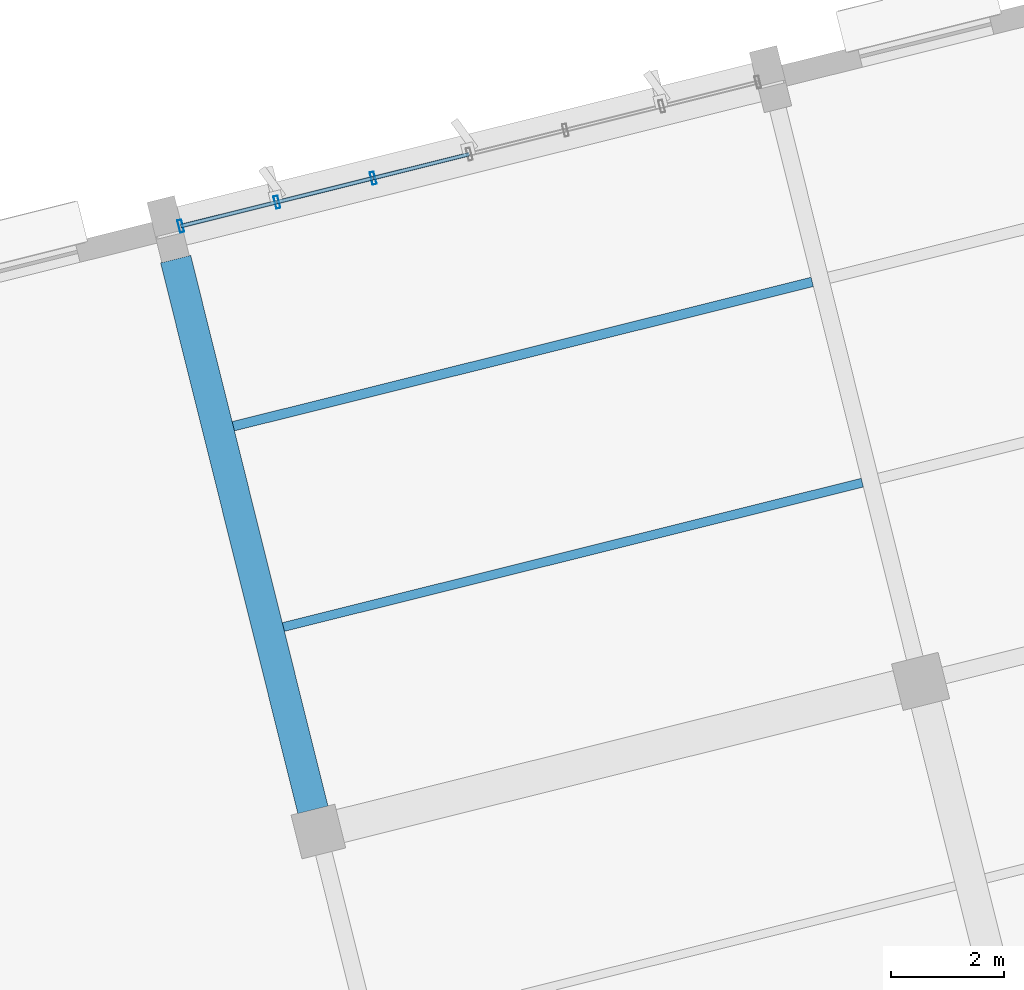
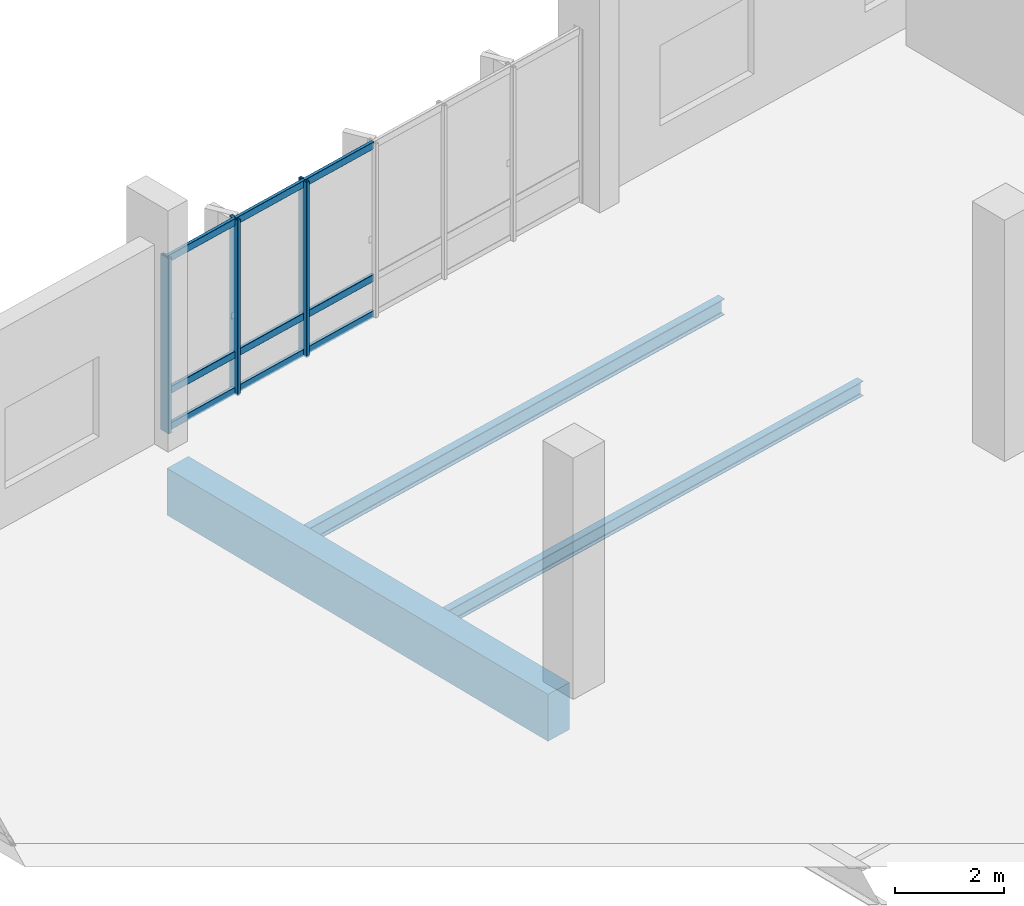
# One storey, part 86 of 176: 12 members, 3 beams, 1 element without a shape of its own.
"""IFC4 building model written with IfcOpenShell, lengths in metres."""

from ifc_helpers import new_model, si_unit, direction, frame, origin, origin_2d, place, context, subcontext, project, spatial, rectangle, hollow_rectangle, i_section, extrude, material, layer, layer_set, material_profile, profile_set, type_object, element, aggregate, save


model = new_model("IFC4")

# Units and contexts
model_context = context("Model", 3, precision=1e-05, world=origin(), true_north=direction((0.0, 1.0)))
body_context = subcontext(model_context, "Body", "Model", "MODEL_VIEW")
ifc_project = project(units=[si_unit("LENGTHUNIT", "METRE"), si_unit("AREAUNIT", "SQUARE_METRE"), si_unit("VOLUMEUNIT", "CUBIC_METRE"), si_unit("PLANEANGLEUNIT", "RADIAN"), si_unit("MASSUNIT", "GRAM", prefix="KILO")], contexts=[model_context])

# Site, building, storey
site_placement = place(None, origin())
site = spatial("IfcSite", under=ifc_project, at=site_placement, CompositionType="ELEMENT")
building_placement = place(site_placement, origin())
building = spatial("IfcBuilding", under=site, at=building_placement, Name="Khorjan Park Terminus", CompositionType="ELEMENT")
storey_placement = place(building_placement, frame((0.0, 0.0, 6.0)))
storey = spatial("IfcBuildingStorey", under=building, at=storey_placement, Name="L01", CompositionType="ELEMENT", Elevation=6.0)

# Beams
ifc_material_1 = material(Name="Concrete C40/50", Category="concrete")
ifc_material_profile_1 = material_profile(ifc_material_1, rectangle(XDim=0.55, YDim=1.05, at=origin_2d()), Name="RC 550x1050")
ifc_profile_set_1 = profile_set([ifc_material_profile_1], Name="Concrete C40/50")
beam_type_1 = type_object("IfcBeamType", Name="BM-RC550x1050", PredefinedType="BEAM", material=ifc_profile_set_1)
beam_1_placement = place(storey_placement, frame((163.272, 58.4107, -0.875), z_axis=(-0.241920438591, 0.970296089548, 0.0), x_axis=(-0.970296089548, -0.241920438591, 0.0)))
element("IfcBeam", 1, at=beam_1_placement, inside=storey, type_object=beam_type_1, Name="Primary skew-grid floor girder GB-105 (L01)", PredefinedType="BEAM", context=body_context, shape_type="SweptSolid", body=[
    extrude(rectangle(XDim=0.55, YDim=1.05, at=origin_2d()), origin(), (0.0, 0.0, 1.0), 10.0599),
])
ifc_material_2 = material(Name="Steel S355", Category="steel")
ifc_material_profile_2 = material_profile(ifc_material_2, i_section(OverallWidth=0.16, OverallDepth=0.33, WebThickness=0.0075, FlangeThickness=0.0115, FilletRadius=0.018, at=origin_2d()), Name="IPE 330")
ifc_profile_set_2 = profile_set([ifc_material_profile_2], Name="Steel S355")
beam_type_2 = type_object("IfcBeamType", Name="JS-IPE330", PredefinedType="JOIST", material=ifc_profile_set_2)
beam_2_placement = place(storey_placement, frame((162.7473, 61.6517, -0.515), z_axis=(0.970296385626, 0.241919251074, 0.0), x_axis=(-0.241919251074, 0.970296385626, 0.0)))
element("IfcBeam", 2, at=beam_2_placement, inside=storey, type_object=beam_type_2, Name="Secondary composite floor joist SJ-33 (L01)", PredefinedType="JOIST", context=body_context, shape_type="SweptSolid", body=[
    extrude(i_section(OverallWidth=0.16, OverallDepth=0.33, WebThickness=0.0075, FlangeThickness=0.0115, FilletRadius=0.018, at=origin_2d()), origin(), (0.0, 0.0, 1.0), 10.575),
])
ifc_material_profile_3 = material_profile(ifc_material_2, i_section(OverallWidth=0.17, OverallDepth=0.36, WebThickness=0.008, FlangeThickness=0.0127, FilletRadius=0.018, at=origin_2d()), Name="IPE 360")
ifc_profile_set_3 = profile_set([ifc_material_profile_3], Name="Steel S355")
beam_type_3 = type_object("IfcBeamType", Name="JS-IPE360", PredefinedType="JOIST", material=ifc_profile_set_3)
beam_3_placement = place(storey_placement, frame((161.8603, 65.2094, -0.53), z_axis=(0.970296385626, 0.241919251074, 0.0), x_axis=(-0.241919251074, 0.970296385626, 0.0)))
element("IfcBeam", 3, at=beam_3_placement, inside=storey, type_object=beam_type_3, Name="Secondary composite floor joist SJ-36 (L01)", PredefinedType="JOIST", context=body_context, shape_type="SweptSolid", body=[
    extrude(i_section(OverallWidth=0.17, OverallDepth=0.36, WebThickness=0.008, FlangeThickness=0.0127, FilletRadius=0.018, at=origin_2d()), origin(), (0.0, 0.0, 1.0), 10.575),
])

# Curtain wall, members
ifc_material_3 = material(Name="Anodized Bronze Aluminium", Category="aluminium")
ifc_layer = layer(ifc_material_3, 0.22)
ifc_layer_set = layer_set([ifc_layer], Name="Anodized Bronze Aluminium")
curtain_wall_type = type_object("IfcCurtainWallType", Name="CW-OPS-B", PredefinedType="NOTDEFINED", material=ifc_layer_set)
curtain_wall_placement = place(storey_placement, origin())
curtain_wall = element("IfcCurtainWall", 4, at=curtain_wall_placement, inside=storey, type_object=curtain_wall_type, Name="Unitized curtain wall CW-B (CW-V5-N-L01-B05)", PredefinedType="NOTDEFINED")
ifc_material_profile_4 = material_profile(ifc_material_3, hollow_rectangle(XDim=0.075, YDim=0.225, WallThickness=0.005, InnerFilletRadius=0.005, OuterFilletRadius=0.01, at=origin_2d()), Name="ALM 75x225x5")
ifc_profile_set_4 = profile_set([ifc_material_profile_4], Name="Anodized Bronze Aluminium")
member_type_1 = type_object("IfcMemberType", Name="ML-ALM-225", PredefinedType="MULLION", material=ifc_profile_set_4)
member_1_placement = place(storey_placement, frame((164.3385, 69.6063, -0.035), z_axis=(0.0, 0.0, 1.0), x_axis=(-0.970298556262, -0.241910544861, 0.0)))
member_1 = element("IfcMember", 5, at=member_1_placement, type_object=member_type_1, Name="Curtain-wall mullion ML-22 (CW-V5-N-L01-B05-4)", PredefinedType="MULLION", context=body_context, shape_type="SweptSolid", body=[
    extrude(hollow_rectangle(XDim=0.075, YDim=0.225, WallThickness=0.005, InnerFilletRadius=0.005, OuterFilletRadius=0.01, at=origin_2d()), origin(), (0.0, 0.0, 1.0), 3.925),
])
member_2_placement = place(storey_placement, frame((162.6339, 69.1813, -0.035), z_axis=(0.0, 0.0, 1.0), x_axis=(-0.970298556262, -0.241910544861, 0.0)))
member_2 = element("IfcMember", 6, at=member_2_placement, type_object=member_type_1, Name="Curtain-wall mullion ML-22 (CW-V5-N-L01-B05-5)", PredefinedType="MULLION", context=body_context, shape_type="SweptSolid", body=[
    extrude(hollow_rectangle(XDim=0.075, YDim=0.225, WallThickness=0.005, InnerFilletRadius=0.005, OuterFilletRadius=0.01, at=origin_2d()), origin(), (0.0, 0.0, 1.0), 3.925),
])
member_3_placement = place(storey_placement, frame((160.9293, 68.7563, -0.035), z_axis=(0.0, 0.0, 1.0), x_axis=(-0.970298556262, -0.241910544861, 0.0)))
member_3 = element("IfcMember", 7, at=member_3_placement, type_object=member_type_1, Name="Curtain-wall mullion ML-22 (CW-V5-N-L01-B05-6)", PredefinedType="MULLION", context=body_context, shape_type="SweptSolid", body=[
    extrude(hollow_rectangle(XDim=0.075, YDim=0.225, WallThickness=0.005, InnerFilletRadius=0.005, OuterFilletRadius=0.01, at=origin_2d()), origin(), (0.0, 0.0, 1.0), 3.925),
])
ifc_material_profile_5 = material_profile(ifc_material_3, hollow_rectangle(XDim=0.07, YDim=0.16, WallThickness=0.004, InnerFilletRadius=0.004, OuterFilletRadius=0.008, at=origin_2d()), Name="ALT 70x160x4")
ifc_profile_set_5 = profile_set([ifc_material_profile_5], Name="Anodized Bronze Aluminium")
member_type_2 = type_object("IfcMemberType", Name="TR-ALT-160", PredefinedType="USERDEFINED", material=ifc_profile_set_5)
member_4_placement = place(storey_placement, frame((166.0431, 70.0312, 0.04), z_axis=(-0.970309689635, -0.241865884739, 0.0), x_axis=(0.241865884739, -0.970309689635, 0.0)))
member_4 = element("IfcMember", 8, at=member_4_placement, type_object=member_type_2, Name="Curtain-wall transom TR-16 (CW-V5-N-L01-B05-3-1)", ObjectType="TRANSOM", PredefinedType="USERDEFINED", context=body_context, shape_type="SweptSolid", body=[
    extrude(hollow_rectangle(XDim=0.07, YDim=0.16, WallThickness=0.004, InnerFilletRadius=0.004, OuterFilletRadius=0.008, at=origin_2d()), origin(), (0.0, 0.0, 1.0), 1.7568),
])
member_5_placement = place(storey_placement, frame((166.0431, 70.0312, 0.848), z_axis=(-0.970309689635, -0.241865884739, 0.0), x_axis=(0.241865884739, -0.970309689635, 0.0)))
member_5 = element("IfcMember", 9, at=member_5_placement, type_object=member_type_2, Name="Curtain-wall transom TR-16 (CW-V5-N-L01-B05-3-2)", ObjectType="TRANSOM", PredefinedType="USERDEFINED", context=body_context, shape_type="SweptSolid", body=[
    extrude(hollow_rectangle(XDim=0.07, YDim=0.16, WallThickness=0.004, InnerFilletRadius=0.004, OuterFilletRadius=0.008, at=origin_2d()), origin(), (0.0, 0.0, 1.0), 1.7568),
])
member_6_placement = place(storey_placement, frame((166.0431, 70.0312, 3.815), z_axis=(-0.970309689635, -0.241865884739, 0.0), x_axis=(0.241865884739, -0.970309689635, 0.0)))
member_6 = element("IfcMember", 10, at=member_6_placement, type_object=member_type_2, Name="Curtain-wall transom TR-16 (CW-V5-N-L01-B05-3-3)", ObjectType="TRANSOM", PredefinedType="USERDEFINED", context=body_context, shape_type="SweptSolid", body=[
    extrude(hollow_rectangle(XDim=0.07, YDim=0.16, WallThickness=0.004, InnerFilletRadius=0.004, OuterFilletRadius=0.008, at=origin_2d()), origin(), (0.0, 0.0, 1.0), 1.7568),
])
member_7_placement = place(storey_placement, frame((164.3385, 69.6063, 0.04), z_axis=(-0.970296329372, -0.2419194767, 0.0), x_axis=(0.2419194767, -0.970296329372, 0.0)))
member_7 = element("IfcMember", 11, at=member_7_placement, type_object=member_type_2, Name="Curtain-wall transom TR-16 (CW-V5-N-L01-B05-4-1)", ObjectType="TRANSOM", PredefinedType="USERDEFINED", context=body_context, shape_type="SweptSolid", body=[
    extrude(hollow_rectangle(XDim=0.07, YDim=0.16, WallThickness=0.004, InnerFilletRadius=0.004, OuterFilletRadius=0.008, at=origin_2d()), origin(), (0.0, 0.0, 1.0), 1.7568),
])
member_8_placement = place(storey_placement, frame((164.3385, 69.6063, 0.848), z_axis=(-0.970296329372, -0.2419194767, 0.0), x_axis=(0.2419194767, -0.970296329372, 0.0)))
member_8 = element("IfcMember", 12, at=member_8_placement, type_object=member_type_2, Name="Curtain-wall transom TR-16 (CW-V5-N-L01-B05-4-2)", ObjectType="TRANSOM", PredefinedType="USERDEFINED", context=body_context, shape_type="SweptSolid", body=[
    extrude(hollow_rectangle(XDim=0.07, YDim=0.16, WallThickness=0.004, InnerFilletRadius=0.004, OuterFilletRadius=0.008, at=origin_2d()), origin(), (0.0, 0.0, 1.0), 1.7568),
])
member_9_placement = place(storey_placement, frame((164.3385, 69.6063, 3.815), z_axis=(-0.970296329372, -0.2419194767, 0.0), x_axis=(0.2419194767, -0.970296329372, 0.0)))
member_9 = element("IfcMember", 13, at=member_9_placement, type_object=member_type_2, Name="Curtain-wall transom TR-16 (CW-V5-N-L01-B05-4-3)", ObjectType="TRANSOM", PredefinedType="USERDEFINED", context=body_context, shape_type="SweptSolid", body=[
    extrude(hollow_rectangle(XDim=0.07, YDim=0.16, WallThickness=0.004, InnerFilletRadius=0.004, OuterFilletRadius=0.008, at=origin_2d()), origin(), (0.0, 0.0, 1.0), 1.7568),
])
member_10_placement = place(storey_placement, frame((162.6339, 69.1813, 0.04), z_axis=(-0.970296329372, -0.2419194767, 0.0), x_axis=(0.2419194767, -0.970296329372, 0.0)))
member_10 = element("IfcMember", 14, at=member_10_placement, type_object=member_type_2, Name="Curtain-wall transom TR-16 (CW-V5-N-L01-B05-5-1)", ObjectType="TRANSOM", PredefinedType="USERDEFINED", context=body_context, shape_type="SweptSolid", body=[
    extrude(hollow_rectangle(XDim=0.07, YDim=0.16, WallThickness=0.004, InnerFilletRadius=0.004, OuterFilletRadius=0.008, at=origin_2d()), origin(), (0.0, 0.0, 1.0), 1.7568),
])
member_11_placement = place(storey_placement, frame((162.6339, 69.1813, 0.848), z_axis=(-0.970296329372, -0.2419194767, 0.0), x_axis=(0.2419194767, -0.970296329372, 0.0)))
member_11 = element("IfcMember", 15, at=member_11_placement, type_object=member_type_2, Name="Curtain-wall transom TR-16 (CW-V5-N-L01-B05-5-2)", ObjectType="TRANSOM", PredefinedType="USERDEFINED", context=body_context, shape_type="SweptSolid", body=[
    extrude(hollow_rectangle(XDim=0.07, YDim=0.16, WallThickness=0.004, InnerFilletRadius=0.004, OuterFilletRadius=0.008, at=origin_2d()), origin(), (0.0, 0.0, 1.0), 1.7568),
])
member_12_placement = place(storey_placement, frame((162.6339, 69.1813, 3.815), z_axis=(-0.970296329372, -0.2419194767, 0.0), x_axis=(0.2419194767, -0.970296329372, 0.0)))
member_12 = element("IfcMember", 16, at=member_12_placement, type_object=member_type_2, Name="Curtain-wall transom TR-16 (CW-V5-N-L01-B05-5-3)", ObjectType="TRANSOM", PredefinedType="USERDEFINED", context=body_context, shape_type="SweptSolid", body=[
    extrude(hollow_rectangle(XDim=0.07, YDim=0.16, WallThickness=0.004, InnerFilletRadius=0.004, OuterFilletRadius=0.008, at=origin_2d()), origin(), (0.0, 0.0, 1.0), 1.7568),
])
aggregate(curtain_wall, [member_1, member_2, member_3, member_4, member_5, member_6, member_7, member_8, member_9, member_10, member_11, member_12])

save(model, "model.ifc")
